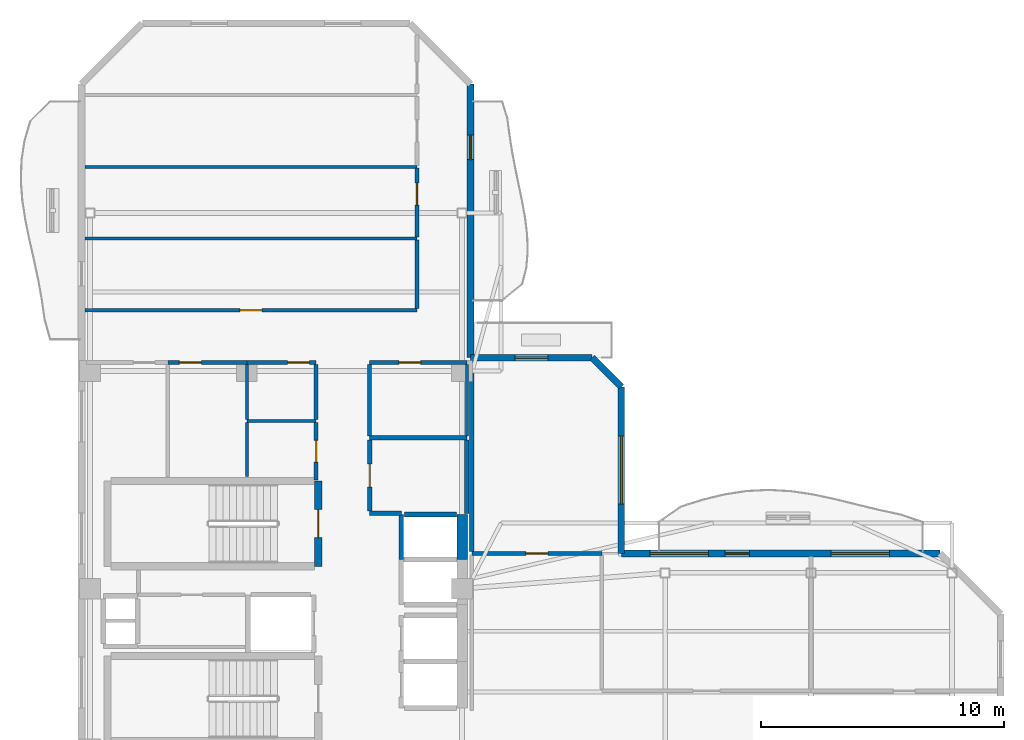
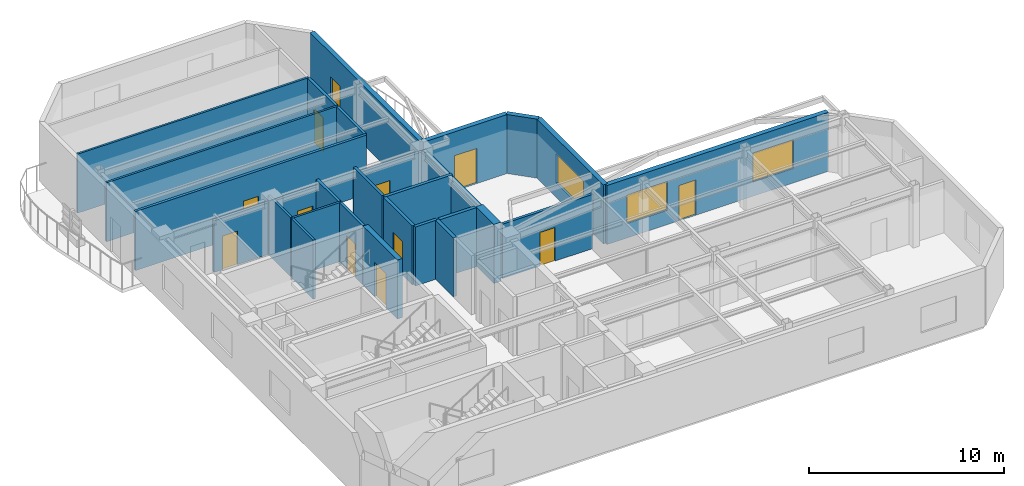
# One storey, part 4 of 8: 30 walls, 12 doors, 3 windows, 15 openings.
"""IFC4 building model written with IfcOpenShell, lengths in metres."""

from ifc_helpers import new_model, si_unit, direction, frame, frame_2d, origin, place, context, subcontext, project, spatial, rectangle, extrude, material, layer, layer_set, type_object, element, fill, save


model = new_model("IFC4")

# Units and contexts
model_context = context("Model", 3, precision=1e-05, world=origin(), true_north=direction((0.0, 1.0)))
body_context = subcontext(model_context, "Body", "Model", "MODEL_VIEW")
ifc_project = project(units=[si_unit("LENGTHUNIT", "METRE"), si_unit("AREAUNIT", "SQUARE_METRE"), si_unit("VOLUMEUNIT", "CUBIC_METRE"), si_unit("PLANEANGLEUNIT", "RADIAN"), si_unit("MASSUNIT", "GRAM", prefix="KILO")], contexts=[model_context])

# Site, building, storey
site_placement = place(None, origin())
site = spatial("IfcSite", under=ifc_project, at=site_placement, CompositionType="ELEMENT")
building_placement = place(site_placement, origin())
building = spatial("IfcBuilding", under=site, at=building_placement, Name="Mawjaban Terraces University", CompositionType="ELEMENT")
storey_placement = place(building_placement, frame((0.0, 0.0, 259.89990234375)))
storey = spatial("IfcBuildingStorey", under=building, at=storey_placement, Name="L63", CompositionType="ELEMENT", Elevation=259.89990234375)

# Walls
ifc_material_1 = material(Name="Acoustic masonry blockwork", Category="masonry")
ifc_layer_1 = layer(ifc_material_1, 0.179931640625)
ifc_layer_set_1 = layer_set([ifc_layer_1], Name="Acoustic masonry blockwork")
wall_type_1 = type_object("IfcWallType", Name="AcousticStudioWall_180", PredefinedType="PARTITIONING", material=ifc_layer_set_1)
wall_1_placement = place(storey_placement, frame((33.85009765625, 17.64990234375, 0.0), z_axis=(0.0, 0.0, 1.0), x_axis=(1.0, 0.0, 0.0)))
element("IfcWall", 1, at=wall_1_placement, inside=storey, type_object=wall_type_1, Name="L63 Graduate Research Collaboration Studio Partition 10", PredefinedType="PARTITIONING", context=body_context, shape_type="SweptSolid", body=[
    extrude(rectangle(XDim=1.2998046875, YDim=0.179931640625, at=frame_2d((0.64990234375, 0.0))), origin(), (0.0, 0.0, 1.0), 3.690185546875),
])
wall_2_placement = place(storey_placement, frame((37.85009765625, 20.75, 0.0), z_axis=(0.0, 0.0, 1.0), x_axis=(-1.0, 0.0, 0.0)))
element("IfcWall", 2, at=wall_2_placement, inside=storey, type_object=wall_type_1, Name="L63 Graduate Research Collaboration Studio Partition 16", PredefinedType="PARTITIONING", context=body_context, shape_type="SweptSolid", body=[
    extrude(rectangle(XDim=4.0, YDim=0.179931640625, at=frame_2d((2.0, 0.0))), origin(), (0.0, 0.0, 1.0), 3.690185546875),
])

# Wall, opening, door
wall_3_placement = place(storey_placement, frame((33.85009765625, 17.735107421875, 0.0), z_axis=(0.0, 0.0, 1.0), x_axis=(0.0, 1.0, 0.0)))
wall_3 = element("IfcWall", 3, at=wall_3_placement, inside=storey, type_object=wall_type_1, Name="L63 Core North Lift Lobby Partition 32", PredefinedType="PARTITIONING", context=body_context, shape_type="SweptSolid", body=[
    extrude(rectangle(XDim=2.929931640625, YDim=0.179931640625, at=frame_2d((1.46484375, 0.0))), origin(), (0.0, 0.0, 1.0), 3.690185546875),
])
opening_1_placement = place(wall_3_placement, frame((0.989990234375, 0.0, 0.0)))
opening_1 = element("IfcOpeningElement", 4, at=opening_1_placement, cuts=wall_3, Name="Opening ID-095", PredefinedType="OPENING", context=body_context, shape_type="SweptSolid", body=[
    extrude(rectangle(XDim=0.949951171875, YDim=2.10009765625, at=frame_2d((0.47509765625, 1.050048828125))), frame((0.0, 0.099853515625, 0.0), z_axis=(0.0, -1.0, 0.0), x_axis=(1.0, 0.0, 0.0)), (0.0, 0.0, 1.0), 0.199951171875),
])
ifc_material_2 = material(Name="Powder-coated steel frame and solid acoustic timber leaf", Category="steel")
door_type_1 = type_object("IfcDoorType", Name="StudioDoor_950x2100", OperationType="NOTDEFINED", PredefinedType="DOOR", material=ifc_material_2)
door_1_placement = place(opening_1_placement, origin())
door_1 = element("IfcDoor", 5, at=door_1_placement, inside=storey, type_object=door_type_1, Name="L63 Graduate Research Collaboration Studio Door", OperationType="SINGLE_SWING_LEFT", OverallHeight=2.10009765625, OverallWidth=0.949951171875, PredefinedType="DOOR", context=body_context, shape_type="SweptSolid", body=[
    extrude(rectangle(XDim=0.949951171875, YDim=2.10009765625, at=frame_2d((0.47509765625, 1.050048828125))), frame((0.0, 0.02490234375, 0.0), z_axis=(0.0, -1.0, 0.0), x_axis=(1.0, 0.0, 0.0)), (0.0, 0.0, 1.0), 0.050048828125),
])
fill(opening_1, door_1)

# Walls
wall_4_placement = place(storey_placement, frame((37.85009765625, 17.64990234375, 0.0), z_axis=(0.0, 0.0, 1.0), x_axis=(0.0, 1.0, 0.0)))
element("IfcWall", 6, at=wall_4_placement, inside=storey, type_object=wall_type_1, Name="L63 Graduate Research Collaboration Studio Partition 38", PredefinedType="PARTITIONING", context=body_context, shape_type="SweptSolid", body=[
    extrude(rectangle(XDim=3.01513671875, YDim=0.179931640625, at=frame_2d((1.507568359375, 0.0))), origin(), (0.0, 0.0, 1.0), 3.22705078125),
])
wall_5_placement = place(storey_placement, frame((38.050048828125, 23.91796875, 0.0), z_axis=(0.0, 0.0, 1.0), x_axis=(0.0, -1.0, 0.0)))
element("IfcWall", 7, at=wall_5_placement, inside=storey, type_object=wall_type_1, Name="L63 Terrace Collaborative Study Room Partition 42", PredefinedType="PARTITIONING", context=body_context, shape_type="SweptSolid", body=[
    extrude(rectangle(XDim=7.843017578125, YDim=0.179931640625, at=frame_2d((3.92138671875, 0.0))), origin(), (0.0, 0.0, 1.0), 3.22705078125),
])
ifc_material_3 = material(Name="Concrete C50/60", Category="concrete")
ifc_layer_2 = layer(ifc_material_3, 0.419921875)
ifc_layer_set_2 = layer_set([ifc_layer_2], Name="Concrete C50/60")
wall_type_2 = type_object("IfcWallType", Name="CoreShearWall_420", PredefinedType="SHEAR", material=ifc_layer_set_2)
wall_6_placement = place(storey_placement, frame((37.659912109375, 15.75, 0.0), z_axis=(0.0, 0.0, 1.0), x_axis=(0.0, 1.0, 0.0)))
element("IfcWall", 8, at=wall_6_placement, inside=storey, type_object=wall_type_2, Name="L63 Lift OL-2 Hoistway Wall East", PredefinedType="SHEAR", context=body_context, shape_type="SweptSolid", body=[
    extrude(rectangle(XDim=1.85009765625, YDim=0.419921875, at=frame_2d((0.925048828125, 0.0))), origin(), (0.0, 0.0, 1.0), 3.690185546875),
])

# Wall, opening, door
ifc_material_4 = material(Name="Fire-rated gypsum board on steel stud", Category="steel")
ifc_layer_3 = layer(ifc_material_4, 0.159912109375)
ifc_layer_set_3 = layer_set([ifc_layer_3], Name="Fire-rated gypsum board on steel stud")
wall_type_3 = type_object("IfcWallType", Name="CorridorPartition_160", PredefinedType="PARTITIONING", material=ifc_layer_set_3)
wall_7_placement = place(storey_placement, frame((28.800048828125, 23.85009765625, 0.0), z_axis=(0.0, 0.0, 1.0), x_axis=(-1.0, 0.0, 0.0)))
wall_7 = element("IfcWall", 9, at=wall_7_placement, inside=storey, type_object=wall_type_3, Name="L63 Staff Tea Pantry Partition 5", PredefinedType="PARTITIONING", context=body_context, shape_type="SweptSolid", body=[
    extrude(rectangle(XDim=3.25, YDim=0.159912109375, at=frame_2d((1.625, 0.0))), origin(), (0.0, 0.0, 1.0), 3.22705078125),
])
opening_2_placement = place(wall_7_placement, frame((1.875, 0.0, 0.0)))
opening_2 = element("IfcOpeningElement", 10, at=opening_2_placement, cuts=wall_7, Name="Opening ID-090", PredefinedType="OPENING", context=body_context, shape_type="SweptSolid", body=[
    extrude(rectangle(XDim=0.89990234375, YDim=2.10009765625, at=frame_2d((0.449951171875, 1.050048828125))), frame((0.0, 0.08984375, 0.0), z_axis=(0.0, -1.0, 0.0), x_axis=(1.0, 0.0, 0.0)), (0.0, 0.0, 1.0), 0.179931640625),
])
door_type_2 = type_object("IfcDoorType", Name="OfficeDoor_900x2100", OperationType="NOTDEFINED", PredefinedType="DOOR", material=ifc_material_2)
door_2_placement = place(opening_2_placement, origin())
door_2 = element("IfcDoor", 11, at=door_2_placement, inside=storey, type_object=door_type_2, Name="L63 Staff Tea Pantry Door", OperationType="SINGLE_SWING_LEFT", OverallHeight=2.10009765625, OverallWidth=0.89990234375, PredefinedType="DOOR", context=body_context, shape_type="SweptSolid", body=[
    extrude(rectangle(XDim=0.89990234375, YDim=2.10009765625, at=frame_2d((0.449951171875, 1.050048828125))), frame((0.0, 0.02490234375, 0.0), z_axis=(0.0, -1.0, 0.0), x_axis=(1.0, 0.0, 0.0)), (0.0, 0.0, 1.0), 0.050048828125),
])
fill(opening_2, door_2)

wall_8_placement = place(storey_placement, frame((31.64990234375, 23.85009765625, 0.0), z_axis=(0.0, 0.0, 1.0), x_axis=(-1.0, 0.0, 0.0)))
wall_8 = element("IfcWall", 12, at=wall_8_placement, inside=storey, type_object=wall_type_3, Name="L63 Faculty Consultation Alcove Partition 9", PredefinedType="PARTITIONING", context=body_context, shape_type="SweptSolid", body=[
    extrude(rectangle(XDim=2.849853515625, YDim=0.159912109375, at=frame_2d((1.4248046875, 0.0))), origin(), (0.0, 0.0, 1.0), 3.22705078125),
])
opening_3_placement = place(wall_8_placement, frame((0.27490234375, 0.0, 0.0)))
opening_3 = element("IfcOpeningElement", 13, at=opening_3_placement, cuts=wall_8, Name="Opening ID-090", PredefinedType="OPENING", context=body_context, shape_type="SweptSolid", body=[
    extrude(rectangle(XDim=0.89990234375, YDim=2.10009765625, at=frame_2d((0.449951171875, 1.050048828125))), frame((0.0, 0.08984375, 0.0), z_axis=(0.0, -1.0, 0.0), x_axis=(1.0, 0.0, 0.0)), (0.0, 0.0, 1.0), 0.179931640625),
])
door_3_placement = place(opening_3_placement, origin())
door_3 = element("IfcDoor", 14, at=door_3_placement, inside=storey, type_object=door_type_2, Name="L63 Faculty Consultation Alcove Door", OperationType="SINGLE_SWING_RIGHT", OverallHeight=2.10009765625, OverallWidth=0.89990234375, PredefinedType="DOOR", context=body_context, shape_type="SweptSolid", body=[
    extrude(rectangle(XDim=0.89990234375, YDim=2.10009765625, at=frame_2d((0.449951171875, 1.050048828125))), frame((0.0, 0.02490234375, 0.0), z_axis=(0.0, -1.0, 0.0), x_axis=(1.0, 0.0, 0.0)), (0.0, 0.0, 1.0), 0.050048828125),
])
fill(opening_3, door_3)

wall_9_placement = place(storey_placement, frame((35.800048828125, 26.0, 0.0), z_axis=(0.0, 0.0, 1.0), x_axis=(-1.0, 0.0, 0.0)))
wall_9 = element("IfcWall", 15, at=wall_9_placement, inside=storey, type_object=wall_type_3, Name="L63 North Core Cross-Corridor Partition 12", PredefinedType="PARTITIONING", context=body_context, shape_type="SweptSolid", body=[
    extrude(rectangle(XDim=13.6669921875, YDim=0.159912109375, at=frame_2d((6.83349609375, 0.0))), origin(), (0.0, 0.0, 1.0), 3.690185546875),
])
opening_4_placement = place(wall_9_placement, frame((6.383056640625, 0.0, 0.0)))
opening_4 = element("IfcOpeningElement", 16, at=opening_4_placement, cuts=wall_9, Name="Opening ID-090", PredefinedType="OPENING", context=body_context, shape_type="SweptSolid", body=[
    extrude(rectangle(XDim=0.89990234375, YDim=2.10009765625, at=frame_2d((0.449951171875, 1.050048828125))), frame((0.0, 0.08984375, 0.0), z_axis=(0.0, -1.0, 0.0), x_axis=(1.0, 0.0, 0.0)), (0.0, 0.0, 1.0), 0.179931640625),
])
door_4_placement = place(opening_4_placement, origin())
door_4 = element("IfcDoor", 17, at=door_4_placement, inside=storey, type_object=door_type_2, Name="L63 Departmental Office 6 Door", OperationType="SINGLE_SWING_LEFT", OverallHeight=2.10009765625, OverallWidth=0.89990234375, PredefinedType="DOOR", context=body_context, shape_type="SweptSolid", body=[
    extrude(rectangle(XDim=0.89990234375, YDim=2.10009765625, at=frame_2d((0.449951171875, 1.050048828125))), frame((0.0, 0.02490234375, 0.0), z_axis=(0.0, -1.0, 0.0), x_axis=(1.0, 0.0, 0.0)), (0.0, 0.0, 1.0), 0.050048828125),
])
fill(opening_4, door_4)

wall_10_placement = place(storey_placement, frame((37.85009765625, 23.85009765625, 0.0), z_axis=(0.0, 0.0, 1.0), x_axis=(-1.0, 0.0, 0.0)))
wall_10 = element("IfcWall", 18, at=wall_10_placement, inside=storey, type_object=wall_type_3, Name="L63 Departmental Copy and Archive Room Partition 17", PredefinedType="PARTITIONING", context=body_context, shape_type="SweptSolid", body=[
    extrude(rectangle(XDim=4.0, YDim=0.159912109375, at=frame_2d((2.0, 0.0))), origin(), (0.0, 0.0, 1.0), 3.22705078125),
])
opening_5_placement = place(wall_10_placement, frame((1.89990234375, 0.0, 0.0)))
opening_5 = element("IfcOpeningElement", 19, at=opening_5_placement, cuts=wall_10, Name="Opening ID-090", PredefinedType="OPENING", context=body_context, shape_type="SweptSolid", body=[
    extrude(rectangle(XDim=0.89990234375, YDim=2.10009765625, at=frame_2d((0.449951171875, 1.050048828125))), frame((0.0, 0.08984375, 0.0), z_axis=(0.0, -1.0, 0.0), x_axis=(1.0, 0.0, 0.0)), (0.0, 0.0, 1.0), 0.179931640625),
])
door_5_placement = place(opening_5_placement, origin())
door_5 = element("IfcDoor", 20, at=door_5_placement, inside=storey, type_object=door_type_2, Name="L63 Departmental Copy and Archive Room Door", OperationType="SINGLE_SWING_RIGHT", OverallHeight=2.10009765625, OverallWidth=0.89990234375, PredefinedType="DOOR", context=body_context, shape_type="SweptSolid", body=[
    extrude(rectangle(XDim=0.89990234375, YDim=2.10009765625, at=frame_2d((0.449951171875, 1.050048828125))), frame((0.0, 0.02490234375, 0.0), z_axis=(0.0, -1.0, 0.0), x_axis=(1.0, 0.0, 0.0)), (0.0, 0.0, 1.0), 0.050048828125),
])
fill(opening_5, door_5)

wall_11_placement = place(storey_placement, frame((43.39990234375, 16.0, 0.0), z_axis=(0.0, 0.0, 1.0), x_axis=(-1.0, 0.0, 0.0)))
wall_11 = element("IfcWall", 21, at=wall_11_placement, inside=storey, type_object=wall_type_3, Name="L63 Upper Research Hub Concourse Partition 20", PredefinedType="PARTITIONING", context=body_context, shape_type="SweptSolid", body=[
    extrude(rectangle(XDim=5.349853515625, YDim=0.159912109375, at=frame_2d((2.6748046875, 0.0))), origin(), (0.0, 0.0, 1.0), 3.39013671875),
])
opening_6_placement = place(wall_11_placement, frame((2.22509765625, 0.0, 0.0)))
opening_6 = element("IfcOpeningElement", 22, at=opening_6_placement, cuts=wall_11, Name="Opening ID-090", PredefinedType="OPENING", context=body_context, shape_type="SweptSolid", body=[
    extrude(rectangle(XDim=0.89990234375, YDim=2.10009765625, at=frame_2d((0.449951171875, 1.050048828125))), frame((0.0, 0.08984375, 0.0), z_axis=(0.0, -1.0, 0.0), x_axis=(1.0, 0.0, 0.0)), (0.0, 0.0, 1.0), 0.179931640625),
])
door_6_placement = place(opening_6_placement, origin())
door_6 = element("IfcDoor", 23, at=door_6_placement, inside=storey, type_object=door_type_2, Name="L63 Terrace Collaborative Study Room Door", OperationType="SINGLE_SWING_LEFT", OverallHeight=2.10009765625, OverallWidth=0.89990234375, PredefinedType="DOOR", context=body_context, shape_type="SweptSolid", body=[
    extrude(rectangle(XDim=0.89990234375, YDim=2.10009765625, at=frame_2d((0.449951171875, 1.050048828125))), frame((0.0, 0.02490234375, 0.0), z_axis=(0.0, -1.0, 0.0), x_axis=(1.0, 0.0, 0.0)), (0.0, 0.0, 1.0), 0.050048828125),
])
fill(opening_6, door_6)

wall_12_placement = place(storey_placement, frame((31.64990234375, 19.010009765625, 0.0), z_axis=(0.0, 0.0, 1.0), x_axis=(0.0, 1.0, 0.0)))
wall_12 = element("IfcWall", 24, at=wall_12_placement, inside=storey, type_object=wall_type_3, Name="L63 Faculty Academic Resource Office Partition 30", PredefinedType="PARTITIONING", context=body_context, shape_type="SweptSolid", body=[
    extrude(rectangle(XDim=2.382080078125, YDim=0.159912109375, at=frame_2d((1.19091796875, 0.0))), origin(), (0.0, 0.0, 1.0), 3.690185546875),
])
opening_7_placement = place(wall_12_placement, frame((0.740966796875, 0.0, 0.0)))
opening_7 = element("IfcOpeningElement", 25, at=opening_7_placement, cuts=wall_12, Name="Opening ID-090", PredefinedType="OPENING", context=body_context, shape_type="SweptSolid", body=[
    extrude(rectangle(XDim=0.89990234375, YDim=2.10009765625, at=frame_2d((0.449951171875, 1.050048828125))), frame((0.0, 0.08984375, 0.0), z_axis=(0.0, -1.0, 0.0), x_axis=(1.0, 0.0, 0.0)), (0.0, 0.0, 1.0), 0.179931640625),
])
door_7_placement = place(opening_7_placement, origin())
door_7 = element("IfcDoor", 26, at=door_7_placement, inside=storey, type_object=door_type_2, Name="L63 Faculty Academic Resource Office Door", OperationType="SINGLE_SWING_LEFT", OverallHeight=2.10009765625, OverallWidth=0.89990234375, PredefinedType="DOOR", context=body_context, shape_type="SweptSolid", body=[
    extrude(rectangle(XDim=0.89990234375, YDim=2.10009765625, at=frame_2d((0.449951171875, 1.050048828125))), frame((0.0, 0.02490234375, 0.0), z_axis=(0.0, -1.0, 0.0), x_axis=(1.0, 0.0, 0.0)), (0.0, 0.0, 1.0), 0.050048828125),
])
fill(opening_7, door_7)

# Walls
wall_13_placement = place(storey_placement, frame((31.64990234375, 23.77490234375, 0.0), z_axis=(0.0, 0.0, 1.0), x_axis=(0.0, -1.0, 0.0)))
element("IfcWall", 27, at=wall_13_placement, inside=storey, type_object=wall_type_3, Name="L63 Core North Lift Lobby Partition 31", PredefinedType="PARTITIONING", context=body_context, shape_type="SweptSolid", body=[
    extrude(rectangle(XDim=2.266845703125, YDim=0.159912109375, at=frame_2d((1.13330078125, 0.0))), origin(), (0.0, 0.0, 1.0), 3.690185546875),
])
wall_14_placement = place(storey_placement, frame((33.85009765625, 20.8349609375, 0.0), z_axis=(0.0, 0.0, 1.0), x_axis=(0.0, 1.0, 0.0)))
element("IfcWall", 28, at=wall_14_placement, inside=storey, type_object=wall_type_3, Name="L63 Core North Lift Lobby Partition 33", PredefinedType="PARTITIONING", context=body_context, shape_type="SweptSolid", body=[
    extrude(rectangle(XDim=2.93994140625, YDim=0.159912109375, at=frame_2d((1.469970703125, 0.0))), origin(), (0.0, 0.0, 1.0), 3.690185546875),
])
wall_15_placement = place(storey_placement, frame((35.800048828125, 28.89208984375, 0.0), z_axis=(0.0, 0.0, 1.0), x_axis=(0.0, -1.0, 0.0)))
element("IfcWall", 29, at=wall_15_placement, inside=storey, type_object=wall_type_3, Name="L63 Upper North Research Gallery Partition 34", PredefinedType="PARTITIONING", context=body_context, shape_type="SweptSolid", body=[
    extrude(rectangle(XDim=2.817138671875, YDim=0.159912109375, at=frame_2d((1.40869140625, 0.0))), origin(), (0.0, 0.0, 1.0), 3.690185546875),
])

# Wall, opening, door
wall_16_placement = place(storey_placement, frame((35.800048828125, 31.842041015625, 0.0), z_axis=(0.0, 0.0, 1.0), x_axis=(0.0, -1.0, 0.0)))
wall_16 = element("IfcWall", 30, at=wall_16_placement, inside=storey, type_object=wall_type_3, Name="L63 Upper North Research Gallery Partition 35", PredefinedType="PARTITIONING", context=body_context, shape_type="SweptSolid", body=[
    extrude(rectangle(XDim=2.833984375, YDim=0.159912109375, at=frame_2d((1.4169921875, 0.0))), origin(), (0.0, 0.0, 1.0), 3.690185546875),
])
opening_8_placement = place(wall_16_placement, frame((0.616943359375, 0.0, 0.0)))
opening_8 = element("IfcOpeningElement", 31, at=opening_8_placement, cuts=wall_16, Name="Opening ID-090", PredefinedType="OPENING", context=body_context, shape_type="SweptSolid", body=[
    extrude(rectangle(XDim=0.89990234375, YDim=2.10009765625, at=frame_2d((0.449951171875, 1.050048828125))), frame((0.0, 0.08984375, 0.0), z_axis=(0.0, -1.0, 0.0), x_axis=(1.0, 0.0, 0.0)), (0.0, 0.0, 1.0), 0.179931640625),
])
door_8_placement = place(opening_8_placement, origin())
door_8 = element("IfcDoor", 32, at=door_8_placement, inside=storey, type_object=door_type_2, Name="L63 Academic Workspace 7 Door", OperationType="SINGLE_SWING_RIGHT", OverallHeight=2.10009765625, OverallWidth=0.89990234375, PredefinedType="DOOR", context=body_context, shape_type="SweptSolid", body=[
    extrude(rectangle(XDim=0.89990234375, YDim=2.10009765625, at=frame_2d((0.449951171875, 1.050048828125))), frame((0.0, 0.02490234375, 0.0), z_axis=(0.0, -1.0, 0.0), x_axis=(1.0, 0.0, 0.0)), (0.0, 0.0, 1.0), 0.050048828125),
])
fill(opening_8, door_8)

# Wall, openings, door, windows
ifc_material_5 = material(Name="Insulated terracotta rainscreen on concrete backup C40/50", Category="masonry")
ifc_layer_4 = layer(ifc_material_5, 0.27490234375)
ifc_layer_set_4 = layer_set([ifc_layer_4], Name="Insulated terracotta rainscreen on concrete backup C40/50")
wall_type_4 = type_object("IfcWallType", Name="ExtTerracottaWall_275", PredefinedType="SOLIDWALL", material=ifc_layer_set_4)
wall_17_placement = place(storey_placement, frame((57.300048828125, 16.0, 0.0), z_axis=(0.0, 0.0, 1.0), x_axis=(-1.0, 0.0, 0.0)))
wall_17 = element("IfcWall", 33, at=wall_17_placement, inside=storey, type_object=wall_type_4, Name="L63 Exterior Terracotta Wall 5", PredefinedType="SOLIDWALL", context=body_context, shape_type="SweptSolid", body=[
    extrude(rectangle(XDim=13.10009765625, YDim=0.27490234375, at=frame_2d((6.550048828125, 0.0))), origin(), (0.0, 0.0, 1.0), 3.690185546875),
])
opening_9_placement = place(wall_17_placement, frame((7.830078125, 0.0, 0.0)))
opening_9 = element("IfcOpeningElement", 34, at=opening_9_placement, cuts=wall_17, Name="Opening BD-100", PredefinedType="OPENING", context=body_context, shape_type="SweptSolid", body=[
    extrude(rectangle(XDim=1.0, YDim=2.199951171875, at=frame_2d((0.5, 1.10009765625))), frame((0.0, 0.1474609375, 0.0), z_axis=(0.0, -1.0, 0.0), x_axis=(1.0, 0.0, 0.0)), (0.0, 0.0, 1.0), 0.294921875),
])
opening_10_placement = place(wall_17_placement, frame((2.074951171875, 0.0, 0.89990234375)))
opening_10 = element("IfcOpeningElement", 35, at=opening_10_placement, cuts=wall_17, Name="Opening W-08", PredefinedType="OPENING", context=body_context, shape_type="SweptSolid", body=[
    extrude(rectangle(XDim=2.39990234375, YDim=1.800048828125, at=frame_2d((1.199951171875, 0.89990234375))), frame((0.0, 0.1474609375, 0.0), z_axis=(0.0, -1.0, 0.0), x_axis=(1.0, 0.0, 0.0)), (0.0, 0.0, 1.0), 0.294921875),
])
opening_11_placement = place(wall_17_placement, frame((9.52490234375, 0.0, 0.89990234375)))
opening_11 = element("IfcOpeningElement", 36, at=opening_11_placement, cuts=wall_17, Name="Opening W-08", PredefinedType="OPENING", context=body_context, shape_type="SweptSolid", body=[
    extrude(rectangle(XDim=2.39990234375, YDim=1.800048828125, at=frame_2d((1.199951171875, 0.89990234375))), frame((0.0, 0.1474609375, 0.0), z_axis=(0.0, -1.0, 0.0), x_axis=(1.0, 0.0, 0.0)), (0.0, 0.0, 1.0), 0.294921875),
])
ifc_material_6 = material(Name="Thermally broken anodised aluminium and laminated safety glass", Category="aluminium")
door_type_3 = type_object("IfcDoorType", Name="BalconyGlazedDoor_1000x2200", OperationType="NOTDEFINED", PredefinedType="DOOR", material=ifc_material_6)
door_9_placement = place(opening_9_placement, origin())
door_9 = element("IfcDoor", 37, at=door_9_placement, inside=storey, type_object=door_type_3, Name="L63 Balcony Access Door inner_north", OperationType="SINGLE_SWING_RIGHT", OverallHeight=2.199951171875, OverallWidth=1.0, PredefinedType="DOOR", context=body_context, shape_type="SweptSolid", body=[
    extrude(rectangle(XDim=1.0, YDim=2.199951171875, at=frame_2d((0.5, 1.10009765625))), frame((0.0, 0.02490234375, 0.0), z_axis=(0.0, -1.0, 0.0), x_axis=(1.0, 0.0, 0.0)), (0.0, 0.0, 1.0), 0.050048828125),
])
fill(opening_9, door_9)
ifc_material_7 = material(Name="Low-E solar-control double glazing in thermally broken aluminium frame", Category="aluminium")
window_type_1 = type_object("IfcWindowType", Name="Win_2400x1800", PartitioningType="SINGLE_PANEL", PredefinedType="WINDOW", material=ifc_material_7)
window_1_placement = place(opening_10_placement, origin())
window_1 = element("IfcWindow", 38, at=window_1_placement, inside=storey, type_object=window_type_1, Name="L63 Facade Window 5.1", OverallHeight=1.800048828125, OverallWidth=2.39990234375, PartitioningType="SINGLE_PANEL", PredefinedType="WINDOW", context=body_context, shape_type="SweptSolid", body=[
    extrude(rectangle(XDim=2.39990234375, YDim=1.800048828125, at=frame_2d((1.199951171875, 0.89990234375))), frame((0.0, 0.030029296875, 0.0), z_axis=(0.0, -1.0, 0.0), x_axis=(1.0, 0.0, 0.0)), (0.0, 0.0, 1.0), 0.06005859375),
])
fill(opening_10, window_1)
window_2_placement = place(opening_11_placement, origin())
window_2 = element("IfcWindow", 39, at=window_2_placement, inside=storey, type_object=window_type_1, Name="L63 Facade Window 5.2", OverallHeight=1.800048828125, OverallWidth=2.39990234375, PartitioningType="SINGLE_PANEL", PredefinedType="WINDOW", context=body_context, shape_type="SweptSolid", body=[
    extrude(rectangle(XDim=2.39990234375, YDim=1.800048828125, at=frame_2d((1.199951171875, 0.89990234375))), frame((0.0, 0.030029296875, 0.0), z_axis=(0.0, -1.0, 0.0), x_axis=(1.0, 0.0, 0.0)), (0.0, 0.0, 1.0), 0.06005859375),
])
fill(opening_11, window_2)

# Wall, opening, window
wall_18_placement = place(storey_placement, frame((44.199951171875, 16.0, 0.0), z_axis=(0.0, 0.0, 1.0), x_axis=(0.0, 1.0, 0.0)))
wall_18 = element("IfcWall", 40, at=wall_18_placement, inside=storey, type_object=wall_type_4, Name="L63 Exterior Terracotta Wall 6", PredefinedType="SOLIDWALL", context=body_context, shape_type="SweptSolid", body=[
    extrude(rectangle(XDim=6.85009765625, YDim=0.27490234375, at=frame_2d((3.425048828125, 0.0))), origin(), (0.0, 0.0, 1.0), 3.690185546875),
])
opening_12_placement = place(wall_18_placement, frame((2.02490234375, 0.0, 0.89990234375)))
opening_12 = element("IfcOpeningElement", 41, at=opening_12_placement, cuts=wall_18, Name="Opening W-09", PredefinedType="OPENING", context=body_context, shape_type="SweptSolid", body=[
    extrude(rectangle(XDim=2.800048828125, YDim=1.800048828125, at=frame_2d((1.39990234375, 0.89990234375))), frame((0.0, 0.1474609375, 0.0), z_axis=(0.0, -1.0, 0.0), x_axis=(1.0, 0.0, 0.0)), (0.0, 0.0, 1.0), 0.294921875),
])
window_type_2 = type_object("IfcWindowType", Name="Win_2800x1800", PartitioningType="SINGLE_PANEL", PredefinedType="WINDOW", material=ifc_material_7)
window_3_placement = place(opening_12_placement, origin())
window_3 = element("IfcWindow", 42, at=window_3_placement, inside=storey, type_object=window_type_2, Name="L63 Facade Window 6.1", OverallHeight=1.800048828125, OverallWidth=2.800048828125, PartitioningType="SINGLE_PANEL", PredefinedType="WINDOW", context=body_context, shape_type="SweptSolid", body=[
    extrude(rectangle(XDim=2.800048828125, YDim=1.800048828125, at=frame_2d((1.39990234375, 0.89990234375))), frame((0.0, 0.030029296875, 0.0), z_axis=(0.0, -1.0, 0.0), x_axis=(1.0, 0.0, 0.0)), (0.0, 0.0, 1.0), 0.06005859375),
])
fill(opening_12, window_3)

# Wall
wall_19_placement = place(storey_placement, frame((44.199951171875, 22.85009765625, 0.0), z_axis=(0.0, 0.0, 1.0), x_axis=(-0.707106781187, 0.707106781187, 0.0)))
element("IfcWall", 43, at=wall_19_placement, inside=storey, type_object=wall_type_4, Name="L63 Exterior Terracotta Wall 7", PredefinedType="SOLIDWALL", context=body_context, shape_type="SweptSolid", body=[
    extrude(rectangle(XDim=1.697021484375, YDim=0.27490234375, at=frame_2d((0.8486328125, 0.0))), origin(), (0.0, 0.0, 1.0), 3.690185546875),
])

# Wall, opening, door
wall_20_placement = place(storey_placement, frame((43.0, 24.050048828125, 0.0), z_axis=(0.0, 0.0, 1.0), x_axis=(-1.0, 0.0, 0.0)))
wall_20 = element("IfcWall", 44, at=wall_20_placement, inside=storey, type_object=wall_type_4, Name="L63 Exterior Terracotta Wall 8", PredefinedType="SOLIDWALL", context=body_context, shape_type="SweptSolid", body=[
    extrude(rectangle(XDim=5.0, YDim=0.27490234375, at=frame_2d((2.5, 0.0))), origin(), (0.0, 0.0, 1.0), 3.690185546875),
])
opening_13_placement = place(wall_20_placement, frame((1.824951171875, 0.0, 0.0)))
opening_13 = element("IfcOpeningElement", 45, at=opening_13_placement, cuts=wall_20, Name="Opening TD-135", PredefinedType="OPENING", context=body_context, shape_type="SweptSolid", body=[
    extrude(rectangle(XDim=1.35009765625, YDim=2.199951171875, at=frame_2d((0.675048828125, 1.10009765625))), frame((0.0, 0.1474609375, 0.0), z_axis=(0.0, -1.0, 0.0), x_axis=(1.0, 0.0, 0.0)), (0.0, 0.0, 1.0), 0.294921875),
])
door_type_4 = type_object("IfcDoorType", Name="TerraceGlazedDoor_1350x2200", OperationType="NOTDEFINED", PredefinedType="DOOR", material=ifc_material_6)
door_10_placement = place(opening_13_placement, origin())
door_10 = element("IfcDoor", 46, at=door_10_placement, inside=storey, type_object=door_type_4, Name="L63 Terrace Access Door TER-L63-CLIMB", OperationType="SINGLE_SWING_LEFT", OverallHeight=2.199951171875, OverallWidth=1.35009765625, PredefinedType="DOOR", context=body_context, shape_type="SweptSolid", body=[
    extrude(rectangle(XDim=1.35009765625, YDim=2.199951171875, at=frame_2d((0.675048828125, 1.10009765625))), frame((0.0, 0.02490234375, 0.0), z_axis=(0.0, -1.0, 0.0), x_axis=(1.0, 0.0, 0.0)), (0.0, 0.0, 1.0), 0.050048828125),
])
fill(opening_13, door_10)

wall_21_placement = place(storey_placement, frame((38.0, 24.050048828125, 0.0), z_axis=(0.0, 0.0, 1.0), x_axis=(0.0, 1.0, 0.0)))
wall_21 = element("IfcWall", 47, at=wall_21_placement, inside=storey, type_object=wall_type_4, Name="L63 Exterior Terracotta Wall 9", PredefinedType="SOLIDWALL", context=body_context, shape_type="SweptSolid", body=[
    extrude(rectangle(XDim=11.25, YDim=0.27490234375, at=frame_2d((5.625, 0.0))), origin(), (0.0, 0.0, 1.0), 3.690185546875),
])
opening_14_placement = place(wall_21_placement, frame((8.14990234375, 0.0, 0.0)))
opening_14 = element("IfcOpeningElement", 48, at=opening_14_placement, cuts=wall_21, Name="Opening BD-100", PredefinedType="OPENING", context=body_context, shape_type="SweptSolid", body=[
    extrude(rectangle(XDim=1.0, YDim=2.199951171875, at=frame_2d((0.5, 1.10009765625))), frame((0.0, 0.1474609375, 0.0), z_axis=(0.0, -1.0, 0.0), x_axis=(1.0, 0.0, 0.0)), (0.0, 0.0, 1.0), 0.294921875),
])
door_11_placement = place(opening_14_placement, origin())
door_11 = element("IfcDoor", 49, at=door_11_placement, inside=storey, type_object=door_type_3, Name="L63 Balcony Access Door inner_east", OperationType="SINGLE_SWING_RIGHT", OverallHeight=2.199951171875, OverallWidth=1.0, PredefinedType="DOOR", context=body_context, shape_type="SweptSolid", body=[
    extrude(rectangle(XDim=1.0, YDim=2.199951171875, at=frame_2d((0.5, 1.10009765625))), frame((0.0, 0.02490234375, 0.0), z_axis=(0.0, -1.0, 0.0), x_axis=(1.0, 0.0, 0.0)), (0.0, 0.0, 1.0), 0.050048828125),
])
fill(opening_14, door_11)

# Walls
ifc_material_8 = material(Name="Concrete C40/50", Category="concrete")
ifc_layer_5 = layer(ifc_material_8, 0.199951171875)
ifc_layer_set_5 = layer_set([ifc_layer_5], Name="Concrete C40/50")
wall_type_5 = type_object("IfcWallType", Name="FireLobbyWall_200", PredefinedType="SOLIDWALL", material=ifc_layer_set_5)
wall_22_placement = place(storey_placement, frame((35.14990234375, 17.60009765625, 0.0), z_axis=(0.0, 0.0, 1.0), x_axis=(0.0, -1.0, 0.0)))
element("IfcWall", 50, at=wall_22_placement, inside=storey, type_object=wall_type_5, Name="L63 Lift OL-2 Hoistway Wall West", PredefinedType="SOLIDWALL", context=body_context, shape_type="SweptSolid", body=[
    extrude(rectangle(XDim=1.85009765625, YDim=0.199951171875, at=frame_2d((0.925048828125, 0.0))), origin(), (0.0, 0.0, 1.0), 3.690185546875),
])
wall_23_placement = place(storey_placement, frame((37.419921875, 17.60009765625, 0.0), z_axis=(0.0, 0.0, 1.0), x_axis=(-1.0, 0.0, 0.0)))
element("IfcWall", 51, at=wall_23_placement, inside=storey, type_object=wall_type_5, Name="L63 Lift OL-2 Hoistway Wall North", PredefinedType="SOLIDWALL", context=body_context, shape_type="SweptSolid", body=[
    extrude(rectangle(XDim=2.139892578125, YDim=0.199951171875, at=frame_2d((1.06982421875, 0.0))), origin(), (0.0, 0.0, 1.0), 3.690185546875),
])
ifc_material_9 = material(Name="Gypsum plasterboard on steel stud", Category="steel")
ifc_layer_6 = layer(ifc_material_9, 0.125)
ifc_layer_set_6 = layer_set([ifc_layer_6], Name="Gypsum plasterboard on steel stud")
wall_type_6 = type_object("IfcWallType", Name="OfficePartition_125", PredefinedType="PARTITIONING", material=ifc_layer_set_6)
wall_24_placement = place(storey_placement, frame((31.64990234375, 21.449951171875, 0.0), z_axis=(0.0, 0.0, 1.0), x_axis=(-1.0, 0.0, 0.0)))
element("IfcWall", 52, at=wall_24_placement, inside=storey, type_object=wall_type_6, Name="L63 Faculty Academic Resource Office Partition 8", PredefinedType="PARTITIONING", context=body_context, shape_type="SweptSolid", body=[
    extrude(rectangle(XDim=2.849853515625, YDim=0.125, at=frame_2d((1.4248046875, 0.0))), origin(), (0.0, 0.0, 1.0), 3.690185546875),
])
for number, where, z_axis, x_axis, name in (
    (53, (35.800048828125, 28.949951171875, 0.0), (0.0, 0.0, 1.0), (-1.0, 0.0, 0.0), "L63 Departmental Office 6 Partition 13"),
    (54, (35.800048828125, 31.89990234375, 0.0), (0.0, 0.0, 1.0), (-1.0, 0.0, 0.0), "L63 Academic Workspace 7 Partition 14"),
):
    element("IfcWall", number, at=place(storey_placement, frame(where, z_axis=z_axis, x_axis=x_axis)), inside=storey, type_object=wall_type_6, Name=name, PredefinedType="PARTITIONING", context=body_context, shape_type="SweptSolid", body=[
        extrude(rectangle(XDim=13.6669921875, YDim=0.125, at=frame_2d((6.83349609375, 0.0))), origin(), (0.0, 0.0, 1.0), 3.690185546875),
    ])
wall_25_placement = place(storey_placement, frame((28.800048828125, 21.39208984375, 0.0), z_axis=(0.0, 0.0, 1.0), x_axis=(0.0, -1.0, 0.0)))
element("IfcWall", 55, at=wall_25_placement, inside=storey, type_object=wall_type_6, Name="L63 Faculty Academic Resource Office Partition 27", PredefinedType="PARTITIONING", context=body_context, shape_type="SweptSolid", body=[
    extrude(rectangle(XDim=2.232177734375, YDim=0.125, at=frame_2d((1.1162109375, 0.0))), origin(), (0.0, 0.0, 1.0), 3.690185546875),
])
wall_26_placement = place(storey_placement, frame((28.800048828125, 23.77490234375, 0.0), z_axis=(0.0, 0.0, 1.0), x_axis=(0.0, -1.0, 0.0)))
element("IfcWall", 56, at=wall_26_placement, inside=storey, type_object=wall_type_6, Name="L63 Faculty Consultation Alcove Partition 28", PredefinedType="PARTITIONING", context=body_context, shape_type="SweptSolid", body=[
    extrude(rectangle(XDim=2.266845703125, YDim=0.125, at=frame_2d((1.13330078125, 0.0))), origin(), (0.0, 0.0, 1.0), 3.690185546875),
])
wall_27_placement = place(storey_placement, frame((37.85009765625, 20.8349609375, 0.0), z_axis=(0.0, 0.0, 1.0), x_axis=(0.0, 1.0, 0.0)))
element("IfcWall", 57, at=wall_27_placement, inside=storey, type_object=wall_type_6, Name="L63 Departmental Copy and Archive Room Partition 39", PredefinedType="PARTITIONING", context=body_context, shape_type="SweptSolid", body=[
    extrude(rectangle(XDim=2.93994140625, YDim=0.125, at=frame_2d((1.469970703125, 0.0))), origin(), (0.0, 0.0, 1.0), 3.22705078125),
])

# Wall, opening, door
ifc_material_10 = material(Name="Concrete C60/75", Category="concrete")
ifc_layer_7 = layer(ifc_material_10, 0.300048828125)
ifc_layer_set_7 = layer_set([ifc_layer_7], Name="Concrete C60/75")
wall_type_7 = type_object("IfcWallType", Name="StairShaftWall_300", PredefinedType="SHEAR", material=ifc_layer_set_7)
wall_28_placement = place(storey_placement, frame((31.72998046875, 15.469970703125, 0.0), z_axis=(0.0, 0.0, 1.0), x_axis=(0.0, 1.0, 0.0)))
wall_28 = element("IfcWall", 58, at=wall_28_placement, inside=storey, type_object=wall_type_7, Name="L63 ST-2 Stair Shaft Wall 4", PredefinedType="SHEAR", context=body_context, shape_type="SweptSolid", body=[
    extrude(rectangle(XDim=3.510009765625, YDim=0.300048828125, at=frame_2d((1.7548828125, 0.0))), origin(), (0.0, 0.0, 1.0), 3.690185546875),
])
opening_15_placement = place(wall_28_placement, frame((1.179931640625, 0.0, 0.0)))
opening_15 = element("IfcOpeningElement", 59, at=opening_15_placement, cuts=wall_28, Name="Opening FD-115", PredefinedType="OPENING", context=body_context, shape_type="SweptSolid", body=[
    extrude(rectangle(XDim=1.14990234375, YDim=2.14990234375, at=frame_2d((0.574951171875, 1.074951171875))), frame((0.0, 0.159912109375, 0.0), z_axis=(0.0, -1.0, 0.0), x_axis=(1.0, 0.0, 0.0)), (0.0, 0.0, 1.0), 0.320068359375),
])
ifc_material_11 = material(Name="Powder-coated steel frame and fire-rated steel-faced leaf", Category="steel")
door_type_5 = type_object("IfcDoorType", Name="FireStairDoor_1150x2150", OperationType="NOTDEFINED", PredefinedType="DOOR", material=ifc_material_11)
door_12_placement = place(opening_15_placement, origin())
door_12 = element("IfcDoor", 60, at=door_12_placement, inside=storey, type_object=door_type_5, Name="L63 ST-2 Pressurised Stair Fire Door", OperationType="SINGLE_SWING_RIGHT", OverallHeight=2.14990234375, OverallWidth=1.14990234375, PredefinedType="DOOR", context=body_context, shape_type="SweptSolid", body=[
    extrude(rectangle(XDim=1.14990234375, YDim=2.14990234375, at=frame_2d((0.574951171875, 1.074951171875))), frame((0.0, 0.02490234375, 0.0), z_axis=(0.0, -1.0, 0.0), x_axis=(1.0, 0.0, 0.0)), (0.0, 0.0, 1.0), 0.050048828125),
])
fill(opening_15, door_12)

save(model, "model.ifc")
